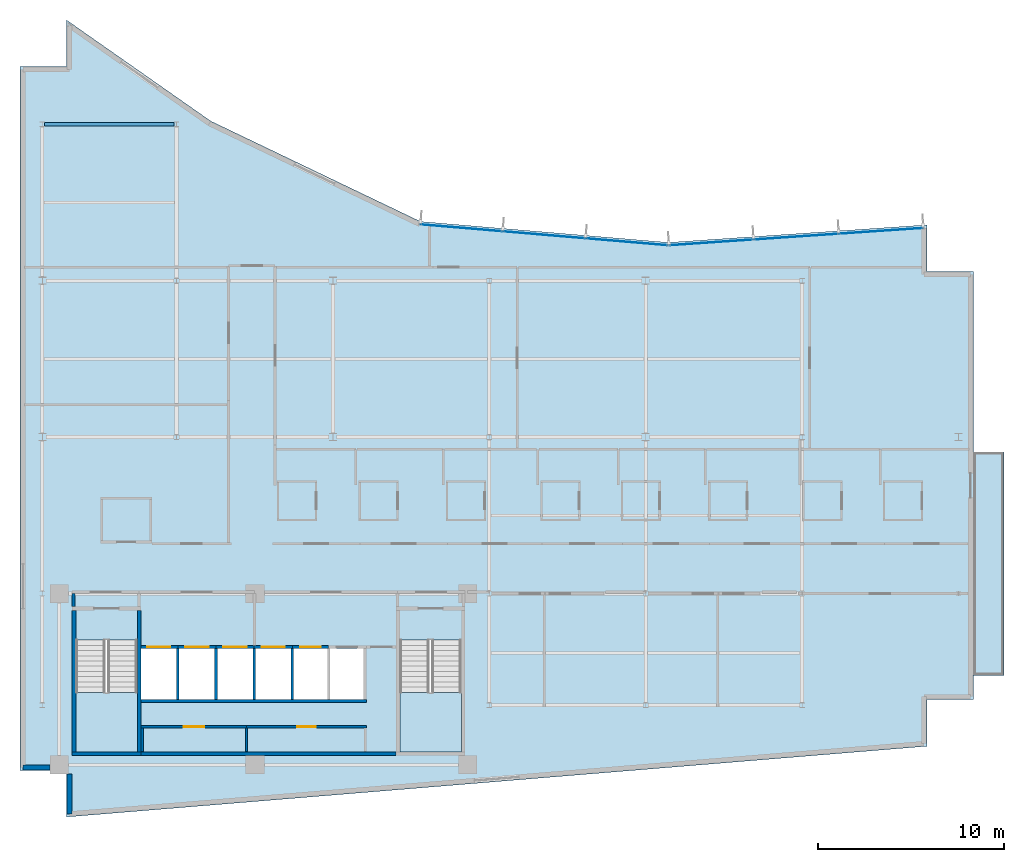
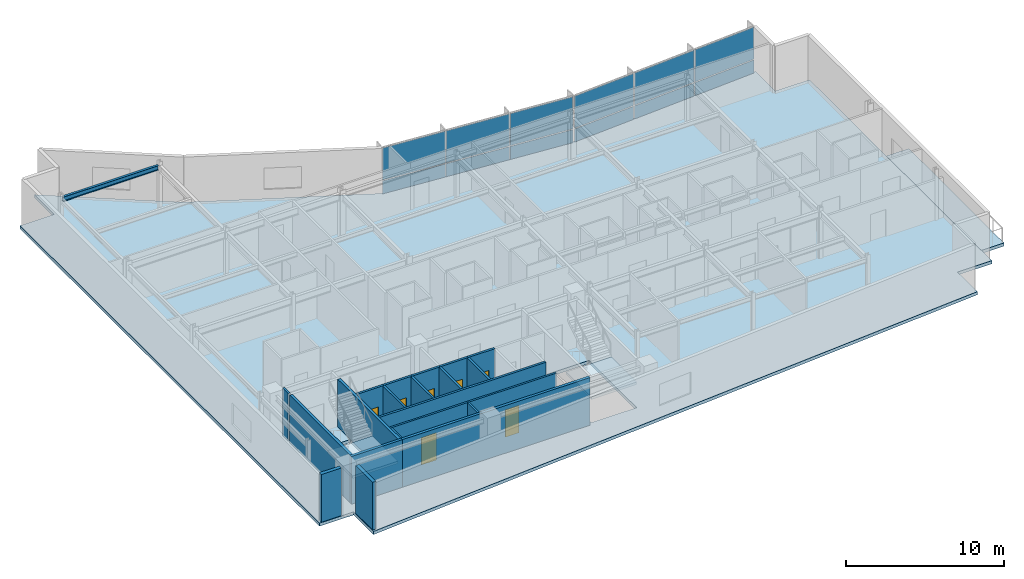
# One storey, part 8 of 15: 21 walls, 12 plates, 7 doors, 4 slabs, 1 beam, 7 openings, 4 elements without a shape of their own.
"""IFC4 building model written with IfcOpenShell, lengths in metres."""

from ifc_helpers import new_model, si_unit, direction, frame, frame_2d, origin, origin_2d, place, context, subcontext, project, spatial, polyline, rectangle, i_section, outline, extrude, material, layer, layer_set, material_profile, profile_set, type_object, element, fill, aggregate, save


model = new_model("IFC4")

# Units and contexts
model_context = context("Model", 3, precision=1e-05, world=origin(), true_north=direction((0.0, 1.0)))
body_context = subcontext(model_context, "Body", "Model", "MODEL_VIEW")
ifc_project = project(units=[si_unit("LENGTHUNIT", "METRE"), si_unit("AREAUNIT", "SQUARE_METRE"), si_unit("VOLUMEUNIT", "CUBIC_METRE"), si_unit("PLANEANGLEUNIT", "RADIAN"), si_unit("MASSUNIT", "GRAM", prefix="KILO")], contexts=[model_context])

# Site, building, storey
site_placement = place(None, origin())
site = spatial("IfcSite", under=ifc_project, at=site_placement, CompositionType="ELEMENT")
building_placement = place(site_placement, origin())
building = spatial("IfcBuilding", under=site, at=building_placement, Name="Varnakote Quay Hospital", CompositionType="ELEMENT")
storey_placement = place(building_placement, frame((0.0, 0.0, 231.60009765625)))
storey = spatial("IfcBuildingStorey", under=building, at=storey_placement, Name="L57", CompositionType="ELEMENT", Elevation=231.60009765625)

# Beam
ifc_material_1 = material(Name="Structural steel AS/NZS 3679.1 Grade 350 L0 (fy 340 MPa)", Category="steel")
ifc_material_profile = material_profile(ifc_material_1, i_section(OverallWidth=0.172119140625, OverallDepth=0.35888671875, WebThickness=0.008056640625, FlangeThickness=0.012939453125, FilletRadius=0.011474609375, at=origin_2d()), Name="360UB56.7")
ifc_profile_set = profile_set([ifc_material_profile], Name="Structural steel AS/NZS 3679.1 Grade 350 L0 (fy 340 MPa)")
beam_type = type_object("IfcBeamType", Name="SPN-STL-360UB56-7", PredefinedType="SPANDREL", material=ifc_profile_set)
beam_placement = place(storey_placement, frame((1.327880859375, 37.199951171875, 3.490478515625), z_axis=(1.0, 0.0, 0.0), x_axis=(0.0, 1.0, 0.0)))
element("IfcBeam", 1, at=beam_placement, inside=storey, type_object=beam_type, Name="L57 Perimeter Spandrel Beam", PredefinedType="SPANDREL", context=body_context, shape_type="SweptSolid", body=[
    extrude(i_section(OverallWidth=0.172119140625, OverallDepth=0.35888671875, WebThickness=0.008056640625, FlangeThickness=0.012939453125, FilletRadius=0.011474609375, at=origin_2d()), origin(), (0.0, 0.0, 1.0), 6.944091796875),
])

# Curtain wall, plates
ifc_material_2 = material(Name="Anodised aluminium 6063-T6 Bronze", Category="aluminium")
ifc_layer_1 = layer(ifc_material_2, 0.219970703125)
ifc_layer_set_1 = layer_set([ifc_layer_1], Name="Anodised aluminium 6063-T6 Bronze")
curtain_wall_type = type_object("IfcCurtainWallType", Name="CW-SYS-4", PredefinedType="NOTDEFINED", material=ifc_layer_set_1)
curtain_wall_1_placement = place(storey_placement, origin())
curtain_wall_1 = element("IfcCurtainWall", 2, at=curtain_wall_1_placement, inside=storey, type_object=curtain_wall_type, Name="L57 Unitised Bronze Curtain Wall 1", PredefinedType="NOTDEFINED")
ifc_material_3 = material(Name="Double-glazed low-E solar glass", Category="glass")
ifc_layer_2 = layer(ifc_material_3, 0.028076171875)
ifc_layer_set_2 = layer_set([ifc_layer_2], Name="Double-glazed low-E solar glass")
plate_type = type_object("IfcPlateType", Name="CW-PNL-GLZ-28", PredefinedType="CURTAIN_PANEL", material=ifc_layer_set_2)
plate_1_placement = place(storey_placement, frame((46.236328125, 31.47216796875, 0.06494140625), z_axis=(0.0, 0.0, 1.0), x_axis=(-0.997696087615, -0.067841851077, 0.0)))
plate_1 = element("IfcPlate", 3, at=plate_1_placement, type_object=plate_type, Name="-4-L57-1 panel 1.1", PredefinedType="CURTAIN_PANEL", context=body_context, shape_type="SweptSolid", body=[
    extrude(rectangle(XDim=4.48828125, YDim=0.028076171875, at=origin_2d()), origin(), (0.0, 0.0, 1.0), 1.00244140625),
])
plate_2_placement = place(storey_placement, frame((46.236328125, 31.47216796875, 1.13232421875), z_axis=(0.0, 0.0, 1.0), x_axis=(-0.997696087615, -0.067841851077, 0.0)))
plate_2 = element("IfcPlate", 4, at=plate_2_placement, type_object=plate_type, Name="-4-L57-1 panel 1.2", PredefinedType="CURTAIN_PANEL", context=body_context, shape_type="SweptSolid", body=[
    extrude(rectangle(XDim=4.48828125, YDim=0.028076171875, at=origin_2d()), origin(), (0.0, 0.0, 1.0), 2.472412109375),
])
plate_3_placement = place(storey_placement, frame((41.67724609375, 31.162109375, 0.06494140625), z_axis=(0.0, 0.0, 1.0), x_axis=(-0.997696087615, -0.067841851077, 0.0)))
plate_3 = element("IfcPlate", 5, at=plate_3_placement, type_object=plate_type, Name="-4-L57-1 panel 2.1", PredefinedType="CURTAIN_PANEL", context=body_context, shape_type="SweptSolid", body=[
    extrude(rectangle(XDim=4.520751953125, YDim=0.028076171875, at=origin_2d()), origin(), (0.0, 0.0, 1.0), 1.00244140625),
])
plate_4_placement = place(storey_placement, frame((41.67724609375, 31.162109375, 1.13232421875), z_axis=(0.0, 0.0, 1.0), x_axis=(-0.997696087615, -0.067841851077, 0.0)))
plate_4 = element("IfcPlate", 6, at=plate_4_placement, type_object=plate_type, Name="-4-L57-1 panel 2.2", PredefinedType="CURTAIN_PANEL", context=body_context, shape_type="SweptSolid", body=[
    extrude(rectangle(XDim=4.520751953125, YDim=0.028076171875, at=origin_2d()), origin(), (0.0, 0.0, 1.0), 2.472412109375),
])
plate_5_placement = place(storey_placement, frame((37.118408203125, 30.85205078125, 0.06494140625), z_axis=(0.0, 0.0, 1.0), x_axis=(-0.997696087615, -0.067841851077, 0.0)))
plate_5 = element("IfcPlate", 7, at=plate_5_placement, type_object=plate_type, Name="-4-L57-1 panel 3.1", PredefinedType="CURTAIN_PANEL", context=body_context, shape_type="SweptSolid", body=[
    extrude(rectangle(XDim=4.48828125, YDim=0.028076171875, at=origin_2d()), origin(), (0.0, 0.0, 1.0), 1.00244140625),
])
plate_6_placement = place(storey_placement, frame((37.118408203125, 30.85205078125, 1.13232421875), z_axis=(0.0, 0.0, 1.0), x_axis=(-0.997696087615, -0.067841851077, 0.0)))
plate_6 = element("IfcPlate", 8, at=plate_6_placement, type_object=plate_type, Name="-4-L57-1 panel 3.2", PredefinedType="CURTAIN_PANEL", context=body_context, shape_type="SweptSolid", body=[
    extrude(rectangle(XDim=4.48828125, YDim=0.028076171875, at=origin_2d()), origin(), (0.0, 0.0, 1.0), 2.472412109375),
])
aggregate(curtain_wall_1, [plate_1, plate_2, plate_3, plate_4, plate_5, plate_6])

curtain_wall_2_placement = place(storey_placement, origin())
curtain_wall_2 = element("IfcCurtainWall", 9, at=curtain_wall_2_placement, inside=storey, type_object=curtain_wall_type, Name="L57 Unitised Bronze Curtain Wall 2", PredefinedType="NOTDEFINED")
plate_7_placement = place(storey_placement, frame((32.572998046875, 30.884765625, 0.06494140625), z_axis=(0.0, 0.0, 1.0), x_axis=(-0.996454277304, 0.084136040089, 0.0)))
plate_7 = element("IfcPlate", 10, at=plate_7_placement, type_object=plate_type, Name="-4-L57-2 panel 1.1", PredefinedType="CURTAIN_PANEL", context=body_context, shape_type="SweptSolid", body=[
    extrude(rectangle(XDim=4.369384765625, YDim=0.028076171875, at=origin_2d()), origin(), (0.0, 0.0, 1.0), 1.00244140625),
])
plate_8_placement = place(storey_placement, frame((32.572998046875, 30.884765625, 1.13232421875), z_axis=(0.0, 0.0, 1.0), x_axis=(-0.996454277304, 0.084136040089, 0.0)))
plate_8 = element("IfcPlate", 11, at=plate_8_placement, type_object=plate_type, Name="-4-L57-2 panel 1.2", PredefinedType="CURTAIN_PANEL", context=body_context, shape_type="SweptSolid", body=[
    extrude(rectangle(XDim=4.369384765625, YDim=0.028076171875, at=origin_2d()), origin(), (0.0, 0.0, 1.0), 2.472412109375),
])
plate_9_placement = place(storey_placement, frame((28.137939453125, 31.25927734375, 0.06494140625), z_axis=(0.0, 0.0, 1.0), x_axis=(-0.996454277304, 0.084136040089, 0.0)))
plate_9 = element("IfcPlate", 12, at=plate_9_placement, type_object=plate_type, Name="-4-L57-2 panel 2.1", PredefinedType="CURTAIN_PANEL", context=body_context, shape_type="SweptSolid", body=[
    extrude(rectangle(XDim=4.40185546875, YDim=0.028076171875, at=origin_2d()), origin(), (0.0, 0.0, 1.0), 1.00244140625),
])
plate_10_placement = place(storey_placement, frame((28.137939453125, 31.25927734375, 1.13232421875), z_axis=(0.0, 0.0, 1.0), x_axis=(-0.996454277304, 0.084136040089, 0.0)))
plate_10 = element("IfcPlate", 13, at=plate_10_placement, type_object=plate_type, Name="-4-L57-2 panel 2.2", PredefinedType="CURTAIN_PANEL", context=body_context, shape_type="SweptSolid", body=[
    extrude(rectangle(XDim=4.40185546875, YDim=0.028076171875, at=origin_2d()), origin(), (0.0, 0.0, 1.0), 2.472412109375),
])
plate_11_placement = place(storey_placement, frame((23.703125, 31.6337890625, 0.06494140625), z_axis=(0.0, 0.0, 1.0), x_axis=(-0.996454277304, 0.084136040089, 0.0)))
plate_11 = element("IfcPlate", 14, at=plate_11_placement, type_object=plate_type, Name="-4-L57-2 panel 3.1", PredefinedType="CURTAIN_PANEL", context=body_context, shape_type="SweptSolid", body=[
    extrude(rectangle(XDim=4.369384765625, YDim=0.028076171875, at=origin_2d()), origin(), (0.0, 0.0, 1.0), 1.00244140625),
])
plate_12_placement = place(storey_placement, frame((23.703125, 31.6337890625, 1.13232421875), z_axis=(0.0, 0.0, 1.0), x_axis=(-0.996454277304, 0.084136040089, 0.0)))
plate_12 = element("IfcPlate", 15, at=plate_12_placement, type_object=plate_type, Name="-4-L57-2 panel 3.2", PredefinedType="CURTAIN_PANEL", context=body_context, shape_type="SweptSolid", body=[
    extrude(rectangle(XDim=4.369384765625, YDim=0.028076171875, at=origin_2d()), origin(), (0.0, 0.0, 1.0), 2.472412109375),
])
aggregate(curtain_wall_2, [plate_7, plate_8, plate_9, plate_10, plate_11, plate_12])

# Stair, slab
ifc_material_4 = material(Name="Concrete N40 (f'c 40 MPa)", Category="concrete")
stair_type = type_object("IfcStairType", Name="STR-CORE-1580", PredefinedType="HALF_TURN_STAIR", material=ifc_material_4)
stair_1_placement = place(storey_placement, origin())
stair_1 = element("IfcStair", 16, at=stair_1_placement, inside=storey, type_object=stair_type, Name="L57 Fire-Isolated Exit Stair ST-01", PredefinedType="HALF_TURN_STAIR")
ifc_material_5 = material(Name="Concrete N40 (f'c 40 MPa)", Category="concrete")
ifc_layer_3 = layer(ifc_material_5, 0.199951171875)
ifc_layer_set_3 = layer_set([ifc_layer_3], Name="Concrete N40 (f'c 40 MPa)")
slab_type_1 = type_object("IfcSlabType", Name="SLB-STAIR-LND-200", PredefinedType="LANDING", material=ifc_layer_set_3)
slab_1_placement = place(storey_placement, frame((0.0, 0.0, 1.77490234375)))
slab_1 = element("IfcSlab", 17, at=slab_1_placement, type_object=slab_type_1, Name="ST-01 landing 1", PredefinedType="LANDING", context=body_context, shape_type="SweptSolid", body=[
    extrude(outline(polyline([(3.0, 6.699951171875), (3.0, 3.5), (6.300048828125, 3.5), (6.300048828125, 6.699951171875), (3.0, 6.699951171875)])), origin(), (0.0, 0.0, 1.0), 0.199951171875),
])
aggregate(stair_1, [slab_1])

stair_2_placement = place(storey_placement, origin())
stair_2 = element("IfcStair", 18, at=stair_2_placement, inside=storey, type_object=stair_type, Name="L57 Fire-Isolated Exit Stair ST-02", PredefinedType="HALF_TURN_STAIR")
slab_2_placement = place(storey_placement, frame((0.0, 0.0, 1.77490234375)))
slab_2 = element("IfcSlab", 19, at=slab_2_placement, type_object=slab_type_1, Name="ST-02 landing 1", PredefinedType="LANDING", context=body_context, shape_type="SweptSolid", body=[
    extrude(outline(polyline([(20.39990234375, 6.699951171875), (20.39990234375, 3.5), (23.699951171875, 3.5), (23.699951171875, 6.699951171875), (20.39990234375, 6.699951171875)])), origin(), (0.0, 0.0, 1.0), 0.199951171875),
])
aggregate(stair_2, [slab_2])

# Slabs
ifc_material_6 = material(Name="Concrete N50 (f'c 50 MPa)", Category="concrete")
ifc_layer_4 = layer(ifc_material_6, 0.239990234375)
ifc_layer_set_4 = layer_set([ifc_layer_4], Name="Concrete N50 (f'c 50 MPa)")
slab_type_2 = type_object("IfcSlabType", Name="SLB-TERR-200", PredefinedType="FLOOR", material=ifc_layer_set_4)
slab_3_placement = place(storey_placement, frame((0.0, 0.0, -0.239990234375)))
element("IfcSlab", 20, at=slab_3_placement, inside=storey, type_object=slab_type_2, Name="L57 Waterfront Healing Terrace Slab", PredefinedType="FLOOR", context=body_context, shape_type="SweptSolid", body=[
    extrude(outline(polyline([(51.196044921875, 19.60009765625), (51.196044921875, 7.60009765625), (52.840087890625, 7.60009765625), (52.840087890625, 19.60009765625), (51.196044921875, 19.60009765625)])), origin(), (0.0, 0.0, 1.0), 0.239990234375),
])
ifc_material_7 = material(Name="Concrete N50 (f'c 50 MPa)", Category="concrete")
ifc_layer_5 = layer(ifc_material_7, 0.239990234375)
ifc_layer_set_5 = layer_set([ifc_layer_5], Name="Concrete N50 (f'c 50 MPa)")
slab_type_3 = type_object("IfcSlabType", Name="SLB-WARD-200", PredefinedType="FLOOR", material=ifc_layer_set_5)
slab_4_placement = place(storey_placement, frame((0.0, 0.0, -0.239990234375)))
element("IfcSlab", 21, at=slab_4_placement, inside=storey, type_object=slab_type_3, Name="L57 Primary Floor Slab", PredefinedType="FLOOR", context=body_context, shape_type="SweptSolid", body=[
    extrude(outline(polyline([(0.0, 2.5), (2.5, 2.5), (2.5, 0.0), (48.699951171875, 3.800048828125), (48.699951171875, 6.300048828125), (51.199951171875, 6.300048828125), (51.199951171875, 29.300048828125), (48.699951171875, 29.300048828125), (48.699951171875, 31.800048828125), (34.81591796875, 30.85595703125), (21.50390625, 31.97998046875), (10.239990234375, 37.3759765625), (2.5, 42.800048828125), (2.5, 40.300048828125), (0.0, 40.300048828125), (0.0, 2.5)]), holes=[polyline([(3.0, 3.5), (6.300048828125, 3.5), (6.300048828125, 9.49951171875), (3.0, 9.49951171875), (3.0, 3.5)]), polyline([(20.39990234375, 3.5), (23.699951171875, 3.5), (23.699951171875, 9.49951171875), (20.39990234375, 9.49951171875), (20.39990234375, 3.5)]), polyline([(6.5, 6.300048828125), (8.39990234375, 6.300048828125), (8.39990234375, 9.050048828125), (6.5, 9.050048828125), (6.5, 6.300048828125)]), polyline([(8.550048828125, 6.300048828125), (10.449951171875, 6.300048828125), (10.449951171875, 9.050048828125), (8.550048828125, 9.050048828125), (8.550048828125, 6.300048828125)]), polyline([(10.60009765625, 6.300048828125), (12.5, 6.300048828125), (12.5, 9.050048828125), (10.60009765625, 9.050048828125), (10.60009765625, 6.300048828125)]), polyline([(12.64990234375, 6.300048828125), (14.550048828125, 6.300048828125), (14.550048828125, 9.050048828125), (12.64990234375, 9.050048828125), (12.64990234375, 6.300048828125)]), polyline([(14.699951171875, 6.300048828125), (16.5, 6.300048828125), (16.5, 9.050048828125), (14.699951171875, 9.050048828125), (14.699951171875, 6.300048828125)]), polyline([(16.64990234375, 6.300048828125), (18.449951171875, 6.300048828125), (18.449951171875, 9.050048828125), (16.64990234375, 9.050048828125), (16.64990234375, 6.300048828125)])]), origin(), (0.0, 0.0, 1.0), 0.239990234375),
])

# Walls
ifc_material_8 = material(Name="Fire-rated acoustic gypsum stud wall", Category="gypsum")
ifc_layer_6 = layer(ifc_material_8, 0.159912109375)
ifc_layer_set_6 = layer_set([ifc_layer_6], Name="Fire-rated acoustic gypsum stud wall")
wall_type_1 = type_object("IfcWallType", Name="WL-COMP-160", PredefinedType="PARTITIONING", material=ifc_layer_set_6)
wall_1_placement = place(storey_placement, frame((2.8798828125, 11.300048828125, 0.0), z_axis=(0.0, 0.0, 1.0), x_axis=(0.0, 1.0, 0.0)))
element("IfcWall", 22, at=wall_1_placement, inside=storey, type_object=wall_type_1, Name="L57 West Stair Vestibule West Wall", PredefinedType="PARTITIONING", context=body_context, shape_type="SweptSolid", body=[
    extrude(rectangle(XDim=0.699951171875, YDim=0.159912109375, at=frame_2d((0.35009765625, 0.0))), origin(), (0.0, 0.0, 1.0), 3.669921875),
])
ifc_material_9 = material(Name="Concrete N50 (f'c 50 MPa)", Category="concrete")
ifc_layer_7 = layer(ifc_material_9, 0.199951171875)
ifc_layer_set_7 = layer_set([ifc_layer_7], Name="Concrete N50 (f'c 50 MPa)")
wall_type_2 = type_object("IfcWallType", Name="WL-CORE-N50-200", PredefinedType="SHEAR", material=ifc_layer_set_7)
wall_2_placement = place(storey_placement, frame((6.5, 3.39990234375, 0.0), z_axis=(0.0, 0.0, 1.0), x_axis=(1.0, 0.0, 0.0)))
element("IfcWall", 23, at=wall_2_placement, inside=storey, type_object=wall_type_2, Name="L57 Rear Core South Shear Wall", PredefinedType="SHEAR", context=body_context, shape_type="SweptSolid", body=[
    extrude(rectangle(XDim=13.699951171875, YDim=0.199951171875, at=frame_2d((6.85009765625, 0.0))), origin(), (0.0, 0.0, 1.0), 3.669921875),
])
ifc_material_10 = material(Name="Precast concrete N50 (f'c 50 MPa)", Category="concrete")
ifc_layer_8 = layer(ifc_material_10, 0.260009765625)
ifc_layer_set_8 = layer_set([ifc_layer_8], Name="Precast concrete N50 (f'c 50 MPa)")
wall_type_3 = type_object("IfcWallType", Name="WL-EXT-BRICK-260", PredefinedType="STANDARD", material=ifc_layer_set_8)
wall_3_placement = place(storey_placement, frame((2.659912109375, 2.31494140625, 0.0), z_axis=(0.0, 0.0, 1.0), x_axis=(0.0, -1.0, 0.0)))
element("IfcWall", 24, at=wall_3_placement, inside=storey, type_object=wall_type_3, Name="L57 Brick-Faced Precast Exterior Wall", PredefinedType="STANDARD", context=body_context, shape_type="SweptSolid", body=[
    extrude(rectangle(XDim=2.141357421875, YDim=0.260009765625, at=frame_2d((1.07080078125, 0.0))), origin(), (0.0, 0.0, 1.0), 3.669921875),
])
wall_4_placement = place(storey_placement, frame((0.159912109375, 2.659912109375, 0.0), z_axis=(0.0, 0.0, 1.0), x_axis=(1.0, 0.0, 0.0)))
element("IfcWall", 25, at=wall_4_placement, inside=storey, type_object=wall_type_3, Name="L57 Brick-Faced Precast Exterior Wall", PredefinedType="STANDARD", context=body_context, shape_type="SweptSolid", body=[
    extrude(rectangle(XDim=1.455078125, YDim=0.260009765625, at=frame_2d((0.7275390625, 0.0))), origin(), (0.0, 0.0, 1.0), 3.669921875),
])
ifc_material_11 = material(Name="Concrete N50 (f'c 50 MPa)", Category="concrete")
ifc_layer_9 = layer(ifc_material_11, 0.14990234375)
ifc_layer_set_9 = layer_set([ifc_layer_9], Name="Concrete N50 (f'c 50 MPa)")
wall_type_4 = type_object("IfcWallType", Name="WL-SHAFT-N50-150", PredefinedType="SHEAR", material=ifc_layer_set_9)
for number, where, z_axis, x_axis, name in (
    (26, (8.47509765625, 6.300048828125, 0.0), (0.0, 0.0, 1.0), (0.0, 1.0, 0.0), "L57 LF-FF1 Hoistway Divider Wall"),
    (27, (10.52490234375, 6.300048828125, 0.0), (0.0, 0.0, 1.0), (0.0, 1.0, 0.0), "L57 LF-FF2 Hoistway Divider Wall"),
    (28, (12.574951171875, 6.300048828125, 0.0), (0.0, 0.0, 1.0), (0.0, 1.0, 0.0), "L57 LF-SV1 Hoistway Divider Wall"),
    (29, (14.625, 6.300048828125, 0.0), (0.0, 0.0, 1.0), (0.0, 1.0, 0.0), "L57 LF-SV2 Hoistway Divider Wall"),
):
    element("IfcWall", number, at=place(storey_placement, frame(where, z_axis=z_axis, x_axis=x_axis)), inside=storey, type_object=wall_type_4, Name=name, PredefinedType="SHEAR", context=body_context, shape_type="SweptSolid", body=[
        extrude(rectangle(XDim=2.75, YDim=0.14990234375, at=frame_2d((1.375, 0.0))), origin(), (0.0, 0.0, 1.0), 3.669921875),
    ])
ifc_material_12 = material(Name="Concrete N50 (f'c 50 MPa)", Category="concrete")
ifc_layer_10 = layer(ifc_material_12, 0.159912109375)
ifc_layer_set_10 = layer_set([ifc_layer_10], Name="Concrete N50 (f'c 50 MPa)")
wall_type_5 = type_object("IfcWallType", Name="WL-SHAFT-N50-160", PredefinedType="SHEAR", material=ifc_layer_set_10)
wall_5_placement = place(storey_placement, frame((6.5, 6.219970703125, 0.0), z_axis=(0.0, 0.0, 1.0), x_axis=(1.0, 0.0, 0.0)))
element("IfcWall", 30, at=wall_5_placement, inside=storey, type_object=wall_type_5, Name="L57 REAR Lift Bank Back Shear Wall", PredefinedType="SHEAR", context=body_context, shape_type="SweptSolid", body=[
    extrude(rectangle(XDim=12.110107421875, YDim=0.159912109375, at=frame_2d((6.05517578125, 0.0))), origin(), (0.0, 0.0, 1.0), 3.669921875),
])

# Wall, opening, door
wall_6_placement = place(storey_placement, frame((6.5, 9.1298828125, 0.0), z_axis=(0.0, 0.0, 1.0), x_axis=(1.0, 0.0, 0.0)))
wall_6 = element("IfcWall", 31, at=wall_6_placement, inside=storey, type_object=wall_type_5, Name="L57 LF-FF1 Hoistway Front Wall", PredefinedType="SHEAR", context=body_context, shape_type="SweptSolid", body=[
    extrude(rectangle(XDim=1.97509765625, YDim=0.159912109375, at=frame_2d((0.987548828125, 0.0))), origin(), (0.0, 0.0, 1.0), 3.669921875),
])
opening_1_placement = place(wall_6_placement, frame((0.324951171875, 0.0, 0.0)))
opening_1 = element("IfcOpeningElement", 32, at=opening_1_placement, cuts=wall_6, Name="Opening LD-FF1-L57", PredefinedType="OPENING", context=body_context, shape_type="SweptSolid", body=[
    extrude(rectangle(XDim=1.25, YDim=2.14990234375, at=frame_2d((0.625, 1.074951171875))), frame((0.0, 0.08984375, 0.0), z_axis=(0.0, -1.0, 0.0), x_axis=(1.0, 0.0, 0.0)), (0.0, 0.0, 1.0), 0.179931640625),
])
ifc_material_13 = material(Name="Stainless steel lift landing sliding door", Category="steel")
door_type_1 = type_object("IfcDoorType", Name="DR-LIFT-LD-1250x2150", OperationType="NOTDEFINED", PredefinedType="DOOR", material=ifc_material_13)
door_1_placement = place(opening_1_placement, origin())
door_1 = element("IfcDoor", 33, at=door_1_placement, inside=storey, type_object=door_type_1, Name="L57 LF-FF1 Lift Landing Sliding Door", OperationType="SLIDING_TO_LEFT", OverallHeight=2.14990234375, OverallWidth=1.25, PredefinedType="DOOR", context=body_context, shape_type="SweptSolid", body=[
    extrude(rectangle(XDim=1.25, YDim=2.14990234375, at=frame_2d((0.625, 1.074951171875))), frame((0.0, 0.02490234375, 0.0), z_axis=(0.0, -1.0, 0.0), x_axis=(1.0, 0.0, 0.0)), (0.0, 0.0, 1.0), 0.050048828125),
])
fill(opening_1, door_1)

wall_7_placement = place(storey_placement, frame((8.47509765625, 9.1298828125, 0.0), z_axis=(0.0, 0.0, 1.0), x_axis=(1.0, 0.0, 0.0)))
wall_7 = element("IfcWall", 34, at=wall_7_placement, inside=storey, type_object=wall_type_5, Name="L57 LF-FF2 Hoistway Front Wall", PredefinedType="SHEAR", context=body_context, shape_type="SweptSolid", body=[
    extrude(rectangle(XDim=2.0498046875, YDim=0.159912109375, at=frame_2d((1.02490234375, 0.0))), origin(), (0.0, 0.0, 1.0), 3.669921875),
])
opening_2_placement = place(wall_7_placement, frame((0.39990234375, 0.0, 0.0)))
opening_2 = element("IfcOpeningElement", 35, at=opening_2_placement, cuts=wall_7, Name="Opening LD-FF2-L57", PredefinedType="OPENING", context=body_context, shape_type="SweptSolid", body=[
    extrude(rectangle(XDim=1.25, YDim=2.14990234375, at=frame_2d((0.625, 1.074951171875))), frame((0.0, 0.08984375, 0.0), z_axis=(0.0, -1.0, 0.0), x_axis=(1.0, 0.0, 0.0)), (0.0, 0.0, 1.0), 0.179931640625),
])
door_2_placement = place(opening_2_placement, origin())
door_2 = element("IfcDoor", 36, at=door_2_placement, inside=storey, type_object=door_type_1, Name="L57 LF-FF2 Lift Landing Sliding Door", OperationType="SLIDING_TO_LEFT", OverallHeight=2.14990234375, OverallWidth=1.25, PredefinedType="DOOR", context=body_context, shape_type="SweptSolid", body=[
    extrude(rectangle(XDim=1.25, YDim=2.14990234375, at=frame_2d((0.625, 1.074951171875))), frame((0.0, 0.02490234375, 0.0), z_axis=(0.0, -1.0, 0.0), x_axis=(1.0, 0.0, 0.0)), (0.0, 0.0, 1.0), 0.050048828125),
])
fill(opening_2, door_2)

wall_8_placement = place(storey_placement, frame((10.52490234375, 9.1298828125, 0.0), z_axis=(0.0, 0.0, 1.0), x_axis=(1.0, 0.0, 0.0)))
wall_8 = element("IfcWall", 37, at=wall_8_placement, inside=storey, type_object=wall_type_5, Name="L57 LF-SV1 Hoistway Front Wall", PredefinedType="SHEAR", context=body_context, shape_type="SweptSolid", body=[
    extrude(rectangle(XDim=2.050048828125, YDim=0.159912109375, at=frame_2d((1.02490234375, 0.0))), origin(), (0.0, 0.0, 1.0), 3.669921875),
])
opening_3_placement = place(wall_8_placement, frame((0.39990234375, 0.0, 0.0)))
opening_3 = element("IfcOpeningElement", 38, at=opening_3_placement, cuts=wall_8, Name="Opening LD-SV1-L57", PredefinedType="OPENING", context=body_context, shape_type="SweptSolid", body=[
    extrude(rectangle(XDim=1.25, YDim=2.14990234375, at=frame_2d((0.625, 1.074951171875))), frame((0.0, 0.08984375, 0.0), z_axis=(0.0, -1.0, 0.0), x_axis=(1.0, 0.0, 0.0)), (0.0, 0.0, 1.0), 0.179931640625),
])
door_3_placement = place(opening_3_placement, origin())
door_3 = element("IfcDoor", 39, at=door_3_placement, inside=storey, type_object=door_type_1, Name="L57 LF-SV1 Lift Landing Sliding Door", OperationType="SLIDING_TO_LEFT", OverallHeight=2.14990234375, OverallWidth=1.25, PredefinedType="DOOR", context=body_context, shape_type="SweptSolid", body=[
    extrude(rectangle(XDim=1.25, YDim=2.14990234375, at=frame_2d((0.625, 1.074951171875))), frame((0.0, 0.02490234375, 0.0), z_axis=(0.0, -1.0, 0.0), x_axis=(1.0, 0.0, 0.0)), (0.0, 0.0, 1.0), 0.050048828125),
])
fill(opening_3, door_3)

wall_9_placement = place(storey_placement, frame((12.574951171875, 9.1298828125, 0.0), z_axis=(0.0, 0.0, 1.0), x_axis=(1.0, 0.0, 0.0)))
wall_9 = element("IfcWall", 40, at=wall_9_placement, inside=storey, type_object=wall_type_5, Name="L57 LF-SV2 Hoistway Front Wall", PredefinedType="SHEAR", context=body_context, shape_type="SweptSolid", body=[
    extrude(rectangle(XDim=2.050048828125, YDim=0.159912109375, at=frame_2d((1.02490234375, 0.0))), origin(), (0.0, 0.0, 1.0), 3.669921875),
])
opening_4_placement = place(wall_9_placement, frame((0.39990234375, 0.0, 0.0)))
opening_4 = element("IfcOpeningElement", 41, at=opening_4_placement, cuts=wall_9, Name="Opening LD-SV2-L57", PredefinedType="OPENING", context=body_context, shape_type="SweptSolid", body=[
    extrude(rectangle(XDim=1.25, YDim=2.14990234375, at=frame_2d((0.625, 1.074951171875))), frame((0.0, 0.08984375, 0.0), z_axis=(0.0, -1.0, 0.0), x_axis=(1.0, 0.0, 0.0)), (0.0, 0.0, 1.0), 0.179931640625),
])
door_4_placement = place(opening_4_placement, origin())
door_4 = element("IfcDoor", 42, at=door_4_placement, inside=storey, type_object=door_type_1, Name="L57 LF-SV2 Lift Landing Sliding Door", OperationType="SLIDING_TO_LEFT", OverallHeight=2.14990234375, OverallWidth=1.25, PredefinedType="DOOR", context=body_context, shape_type="SweptSolid", body=[
    extrude(rectangle(XDim=1.25, YDim=2.14990234375, at=frame_2d((0.625, 1.074951171875))), frame((0.0, 0.02490234375, 0.0), z_axis=(0.0, -1.0, 0.0), x_axis=(1.0, 0.0, 0.0)), (0.0, 0.0, 1.0), 0.050048828125),
])
fill(opening_4, door_4)

wall_10_placement = place(storey_placement, frame((14.625, 9.1298828125, 0.0), z_axis=(0.0, 0.0, 1.0), x_axis=(1.0, 0.0, 0.0)))
wall_10 = element("IfcWall", 43, at=wall_10_placement, inside=storey, type_object=wall_type_5, Name="L57 LF-PH1 Hoistway Front Wall", PredefinedType="SHEAR", context=body_context, shape_type="SweptSolid", body=[
    extrude(rectangle(XDim=1.949951171875, YDim=0.159912109375, at=frame_2d((0.97509765625, 0.0))), origin(), (0.0, 0.0, 1.0), 3.669921875),
])
opening_5_placement = place(wall_10_placement, frame((0.425048828125, 0.0, 0.0)))
opening_5 = element("IfcOpeningElement", 44, at=opening_5_placement, cuts=wall_10, Name="Opening LD-PH1-L57", PredefinedType="OPENING", context=body_context, shape_type="SweptSolid", body=[
    extrude(rectangle(XDim=1.10009765625, YDim=2.14990234375, at=frame_2d((0.550048828125, 1.074951171875))), frame((0.0, 0.08984375, 0.0), z_axis=(0.0, -1.0, 0.0), x_axis=(1.0, 0.0, 0.0)), (0.0, 0.0, 1.0), 0.179931640625),
])
ifc_material_14 = material(Name="Brushed bronze lift landing sliding door")
door_type_2 = type_object("IfcDoorType", Name="DR-LIFT-LD-1100x2150", OperationType="NOTDEFINED", PredefinedType="DOOR", material=ifc_material_14)
door_5_placement = place(opening_5_placement, origin())
door_5 = element("IfcDoor", 45, at=door_5_placement, inside=storey, type_object=door_type_2, Name="L57 LF-PH1 Lift Landing Sliding Door", OperationType="SLIDING_TO_LEFT", OverallHeight=2.14990234375, OverallWidth=1.10009765625, PredefinedType="DOOR", context=body_context, shape_type="SweptSolid", body=[
    extrude(rectangle(XDim=1.10009765625, YDim=2.14990234375, at=frame_2d((0.550048828125, 1.074951171875))), frame((0.0, 0.02490234375, 0.0), z_axis=(0.0, -1.0, 0.0), x_axis=(1.0, 0.0, 0.0)), (0.0, 0.0, 1.0), 0.050048828125),
])
fill(opening_5, door_5)

# Walls
ifc_material_15 = material(Name="Concrete N50 (f'c 50 MPa)", Category="concrete")
ifc_layer_11 = layer(ifc_material_15, 0.199951171875)
ifc_layer_set_11 = layer_set([ifc_layer_11], Name="Concrete N50 (f'c 50 MPa)")
wall_type_6 = type_object("IfcWallType", Name="WL-SHAFT-N50-200", PredefinedType="SHEAR", material=ifc_layer_set_11)
wall_11_placement = place(storey_placement, frame((2.800048828125, 3.39990234375, 0.0), z_axis=(0.0, 0.0, 1.0), x_axis=(1.0, 0.0, 0.0)))
element("IfcWall", 46, at=wall_11_placement, inside=storey, type_object=wall_type_6, Name="L57 Stair ST1 South Shaft Wall", PredefinedType="SHEAR", context=body_context, shape_type="SweptSolid", body=[
    extrude(rectangle(XDim=3.699951171875, YDim=0.199951171875, at=frame_2d((1.85009765625, 0.0))), origin(), (0.0, 0.0, 1.0), 3.669921875),
])
for number, where, z_axis, x_axis, name in (
    (47, (2.89990234375, 3.5, 0.0), (0.0, 0.0, 1.0), (0.0, 1.0, 0.0), "L57 Stair ST1 West Shaft Wall"),
    (48, (6.39990234375, 3.5, 0.0), (0.0, 0.0, 1.0), (0.0, 1.0, 0.0), "L57 Stair ST1 East Shaft Wall"),
):
    element("IfcWall", number, at=place(storey_placement, frame(where, z_axis=z_axis, x_axis=x_axis)), inside=storey, type_object=wall_type_6, Name=name, PredefinedType="SHEAR", context=body_context, shape_type="SweptSolid", body=[
        extrude(rectangle(XDim=7.60009765625, YDim=0.199951171875, at=frame_2d((3.800048828125, 0.0))), origin(), (0.0, 0.0, 1.0), 3.669921875),
    ])
ifc_material_16 = material(Name="Smoke-proof clinical partition", Category="gypsum")
ifc_layer_12 = layer(ifc_material_16, 0.1201171875)
ifc_layer_set_12 = layer_set([ifc_layer_12], Name="Smoke-proof clinical partition")
wall_type_7 = type_object("IfcWallType", Name="WL-SMOKE-120", PredefinedType="PARTITIONING", material=ifc_layer_set_12)
for number, where, z_axis, x_axis, name in (
    (49, (6.56005859375, 3.52001953125, 0.0), (0.0, 0.0, 1.0), (0.0, 1.0, 0.0), "L57 Core South Service West Wall"),
    (50, (12.169921875, 3.52001953125, 0.0), (0.0, 0.0, 1.0), (0.0, 1.0, 0.0), "L57 Core South Service Divider"),
):
    element("IfcWall", number, at=place(storey_placement, frame(where, z_axis=z_axis, x_axis=x_axis)), inside=storey, type_object=wall_type_7, Name=name, PredefinedType="PARTITIONING", context=body_context, shape_type="SweptSolid", body=[
        extrude(rectangle(XDim=1.260009765625, YDim=0.1201171875, at=frame_2d((0.6298828125, 0.0))), origin(), (0.0, 0.0, 1.0), 3.669921875),
    ])

# Wall, opening, door
ifc_material_17 = material(Name="Fire-rated clinical gypsum partition", Category="gypsum")
ifc_layer_13 = layer(ifc_material_17, 0.139892578125)
ifc_layer_set_13 = layer_set([ifc_layer_13], Name="Fire-rated clinical gypsum partition")
wall_type_8 = type_object("IfcWallType", Name="WL-WARD-140", PredefinedType="PARTITIONING", material=ifc_layer_set_13)
wall_12_placement = place(storey_placement, frame((6.5, 4.85009765625, 0.0), z_axis=(0.0, 0.0, 1.0), x_axis=(1.0, 0.0, 0.0)))
wall_12 = element("IfcWall", 51, at=wall_12_placement, inside=storey, type_object=wall_type_8, Name="L57 Core Clean Linen Store North Wall", PredefinedType="PARTITIONING", context=body_context, shape_type="SweptSolid", body=[
    extrude(rectangle(XDim=5.669921875, YDim=0.139892578125, at=frame_2d((2.8349609375, 0.0))), origin(), (0.0, 0.0, 1.0), 3.669921875),
])
opening_6_placement = place(wall_12_placement, frame((2.284912109375, 0.0, 0.0)))
opening_6 = element("IfcOpeningElement", 52, at=opening_6_placement, cuts=wall_12, Name="Opening D-L57-CR01", PredefinedType="OPENING", context=body_context, shape_type="SweptSolid", body=[
    extrude(rectangle(XDim=1.10009765625, YDim=2.10009765625, at=frame_2d((0.550048828125, 1.050048828125))), frame((0.0, 0.079833984375, 0.0), z_axis=(0.0, -1.0, 0.0), x_axis=(1.0, 0.0, 0.0)), (0.0, 0.0, 1.0), 0.159912109375),
])
ifc_material_18 = material(Name="Acoustic timber clinical consult door", Category="wood")
door_type_3 = type_object("IfcDoorType", Name="DR-CLIN-FD30S-1100x2100", OperationType="NOTDEFINED", PredefinedType="DOOR", material=ifc_material_18)
door_6_placement = place(opening_6_placement, origin())
door_6 = element("IfcDoor", 53, at=door_6_placement, inside=storey, type_object=door_type_3, Name="L57 Core Clean Linen Store Door", OperationType="SINGLE_SWING_LEFT", OverallHeight=2.10009765625, OverallWidth=1.10009765625, PredefinedType="DOOR", context=body_context, shape_type="SweptSolid", body=[
    extrude(rectangle(XDim=1.10009765625, YDim=2.10009765625, at=frame_2d((0.550048828125, 1.050048828125))), frame((0.0, 0.02490234375, 0.0), z_axis=(0.0, -1.0, 0.0), x_axis=(1.0, 0.0, 0.0)), (0.0, 0.0, 1.0), 0.050048828125),
])
fill(opening_6, door_6)

wall_13_placement = place(storey_placement, frame((12.169921875, 4.85009765625, 0.0), z_axis=(0.0, 0.0, 1.0), x_axis=(1.0, 0.0, 0.0)))
wall_13 = element("IfcWall", 54, at=wall_13_placement, inside=storey, type_object=wall_type_8, Name="L57 Core Staff Sanitary WC North Wall", PredefinedType="PARTITIONING", context=body_context, shape_type="SweptSolid", body=[
    extrude(rectangle(XDim=6.43017578125, YDim=0.139892578125, at=frame_2d((3.215087890625, 0.0))), origin(), (0.0, 0.0, 1.0), 3.669921875),
])
opening_7_placement = place(wall_13_placement, frame((2.72509765625, 0.0, 0.0)))
opening_7 = element("IfcOpeningElement", 55, at=opening_7_placement, cuts=wall_13, Name="Opening D-L57-CR02", PredefinedType="OPENING", context=body_context, shape_type="SweptSolid", body=[
    extrude(rectangle(XDim=0.97998046875, YDim=2.10009765625, at=frame_2d((0.489990234375, 1.050048828125))), frame((0.0, 0.079833984375, 0.0), z_axis=(0.0, -1.0, 0.0), x_axis=(1.0, 0.0, 0.0)), (0.0, 0.0, 1.0), 0.159912109375),
])
ifc_material_19 = material(Name="Accessible sanitary compartment door")
door_type_4 = type_object("IfcDoorType", Name="DR-WC-980x2100", OperationType="NOTDEFINED", PredefinedType="DOOR", material=ifc_material_19)
door_7_placement = place(opening_7_placement, origin())
door_7 = element("IfcDoor", 56, at=door_7_placement, inside=storey, type_object=door_type_4, Name="L57 Core Staff Sanitary WC Door", OperationType="SINGLE_SWING_RIGHT", OverallHeight=2.10009765625, OverallWidth=0.97998046875, PredefinedType="DOOR", context=body_context, shape_type="SweptSolid", body=[
    extrude(rectangle(XDim=0.97998046875, YDim=2.10009765625, at=frame_2d((0.489990234375, 1.050048828125))), frame((0.0, 0.02490234375, 0.0), z_axis=(0.0, -1.0, 0.0), x_axis=(1.0, 0.0, 0.0)), (0.0, 0.0, 1.0), 0.050048828125),
])
fill(opening_7, door_7)

save(model, "model.ifc")
